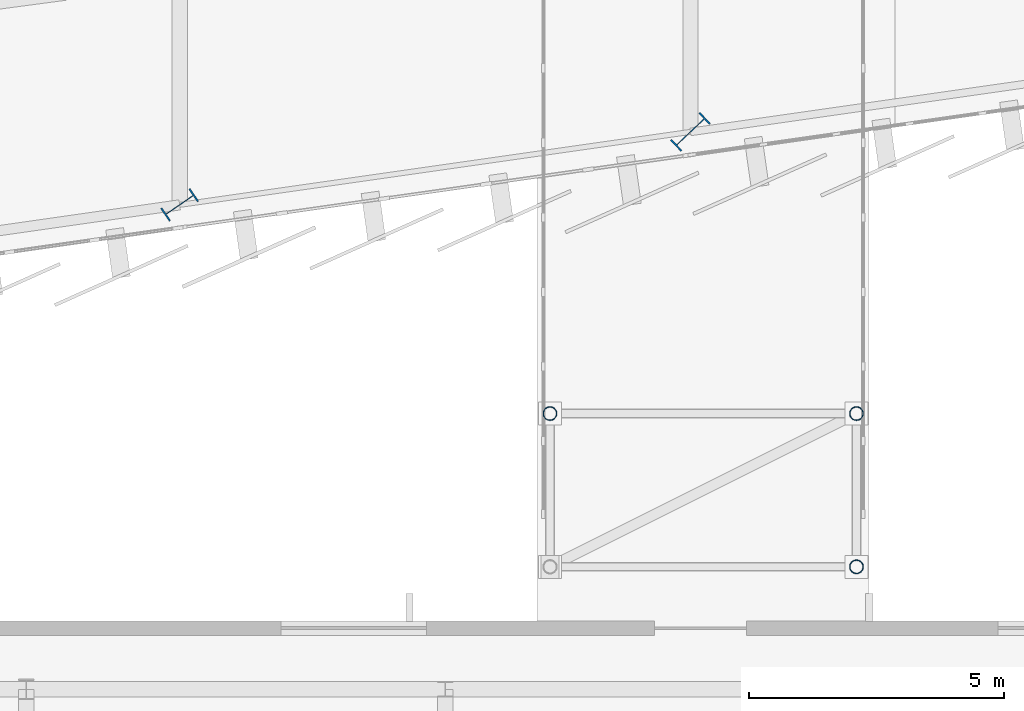
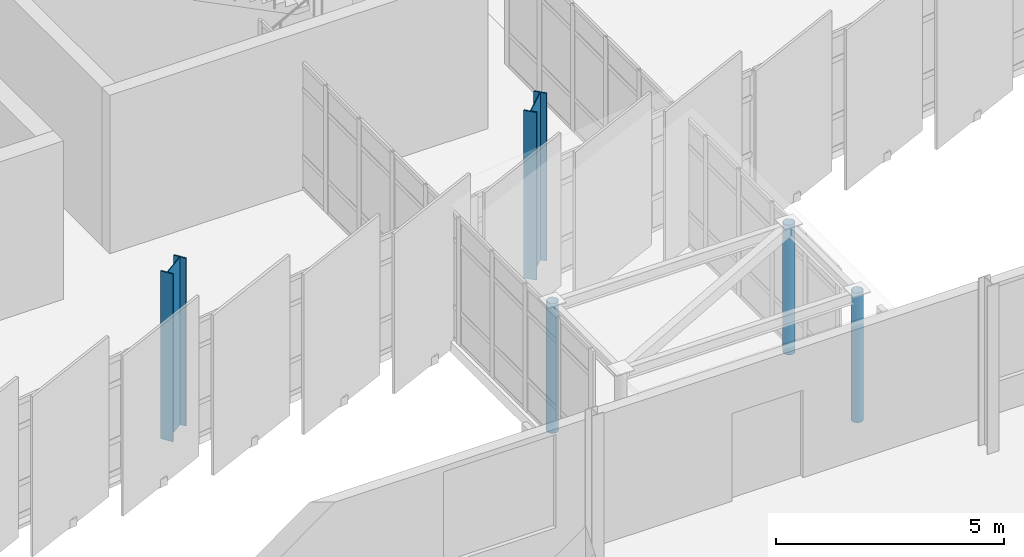
# One storey, part 7 of 125: 5 columns.
"""IFC4 building model written with IfcOpenShell, lengths in metres."""

from ifc_helpers import new_model, si_unit, direction, frame, origin, origin_2d, place, context, subcontext, project, spatial, hollow_circle, i_section, extrude, material, material_profile, profile_set, type_object, element, save


model = new_model("IFC4")

# Units and contexts
model_context = context("Model", 3, precision=1e-05, world=origin(), true_north=direction((0.0, 1.0)))
body_context = subcontext(model_context, "Body", "Model", "MODEL_VIEW")
ifc_project = project(units=[si_unit("LENGTHUNIT", "METRE"), si_unit("AREAUNIT", "SQUARE_METRE"), si_unit("VOLUMEUNIT", "CUBIC_METRE"), si_unit("PLANEANGLEUNIT", "RADIAN"), si_unit("MASSUNIT", "GRAM", prefix="KILO")], contexts=[model_context])

# Site, building, storey
site_placement = place(None, origin())
site = spatial("IfcSite", under=ifc_project, at=site_placement, CompositionType="ELEMENT")
building_placement = place(site_placement, origin())
building = spatial("IfcBuilding", under=site, at=building_placement, Name="Sohan Crest Arena", CompositionType="ELEMENT")
storey_placement = place(building_placement, frame((0.0, 0.0, 9.0)))
storey = spatial("IfcBuildingStorey", under=building, at=storey_placement, Name="L02", CompositionType="ELEMENT", Elevation=9.0)

# Columns
ifc_material = material(Name="Steel S355", Category="steel")
ifc_material_profile_1 = material_profile(ifc_material, i_section(OverallWidth=0.300048828125, OverallDepth=0.699951171875, WebThickness=0.01708984375, FlangeThickness=0.031982421875, at=origin_2d()), Name="HEB 700")
ifc_profile_set_1 = profile_set([ifc_material_profile_1], Name="Steel S355")
column_type_1 = type_object("IfcColumnType", Name="STR-COL-C21", PredefinedType="COLUMN", material=ifc_profile_set_1)
column_1_placement = place(storey_placement, frame((128.0, 34.285888671875, 0.0), z_axis=(0.0, 0.0, 1.0), x_axis=(-0.566406236925, 0.824126188622, 0.0)))
element("IfcColumn", 1, at=column_1_placement, inside=storey, type_object=column_type_1, Name="Structural column COL-V2O-16-L02", PredefinedType="COLUMN", context=body_context, shape_type="SweptSolid", body=[
    extrude(i_section(OverallWidth=0.300048828125, OverallDepth=0.699951171875, WebThickness=0.01708984375, FlangeThickness=0.031982421875, at=origin_2d()), origin(), (0.0, 0.0, 1.0), 4.5),
])
ifc_material_profile_2 = material_profile(ifc_material, i_section(OverallWidth=0.300048828125, OverallDepth=0.800048828125, WebThickness=0.017578125, FlangeThickness=0.032958984375, at=origin_2d()), Name="HEB 800")
ifc_profile_set_2 = profile_set([ifc_material_profile_2], Name="Steel S355")
column_type_2 = type_object("IfcColumnType", Name="STR-COL-C22", PredefinedType="COLUMN", material=ifc_profile_set_2)
column_2_placement = place(storey_placement, frame((138.0, 35.714111328125, 0.0), z_axis=(0.0, 0.0, 1.0), x_axis=(-0.687087510804, 0.726574670971, 0.0)))
element("IfcColumn", 2, at=column_2_placement, inside=storey, type_object=column_type_2, Name="Structural column COL-V2O-17-L02", PredefinedType="COLUMN", context=body_context, shape_type="SweptSolid", body=[
    extrude(i_section(OverallWidth=0.300048828125, OverallDepth=0.800048828125, WebThickness=0.017578125, FlangeThickness=0.032958984375, at=origin_2d()), origin(), (0.0, 0.0, 1.0), 4.5),
])
ifc_material_profile_3 = material_profile(ifc_material, hollow_circle(Radius=0.136474609375, WallThickness=0.012451171875, at=origin_2d()), Name="CHS 273x12.5")
ifc_profile_set_3 = profile_set([ifc_material_profile_3], Name="Steel S355")
column_type_3 = type_object("IfcColumnType", Name="STR-COL-C25", PredefinedType="COLUMN", material=ifc_profile_set_3)
for number, where, z_axis, x_axis, name in (
    (3, (135.25, 30.199951171875, 0.0), (0.0, 0.0, 1.0), (1.0, 0.0, 0.0), "Structural column COL-BC-BR-S2-2-L02"),
    (4, (141.25, 27.199951171875, 0.0), (0.0, 0.0, 1.0), (1.0, 0.0, 0.0), "Structural column COL-BC-BR-S2-3-L02"),
    (5, (141.25, 30.199951171875, 0.0), (0.0, 0.0, 1.0), (1.0, 0.0, 0.0), "Structural column COL-BC-BR-S2-4-L02"),
):
    element("IfcColumn", number, at=place(storey_placement, frame(where, z_axis=z_axis, x_axis=x_axis)), inside=storey, type_object=column_type_3, Name=name, PredefinedType="COLUMN", context=body_context, shape_type="SweptSolid", body=[
        extrude(hollow_circle(Radius=0.136474609375, WallThickness=0.012451171875, at=origin_2d()), origin(), (0.0, 0.0, 1.0), 3.47509765625),
    ])

save(model, "model.ifc")
